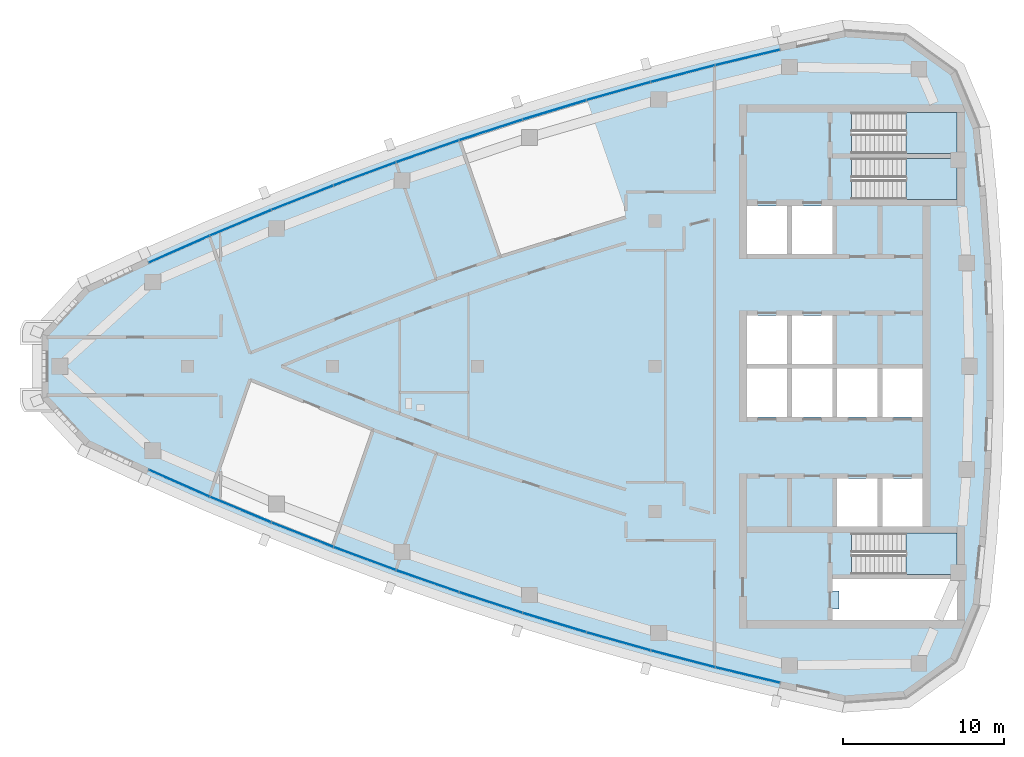
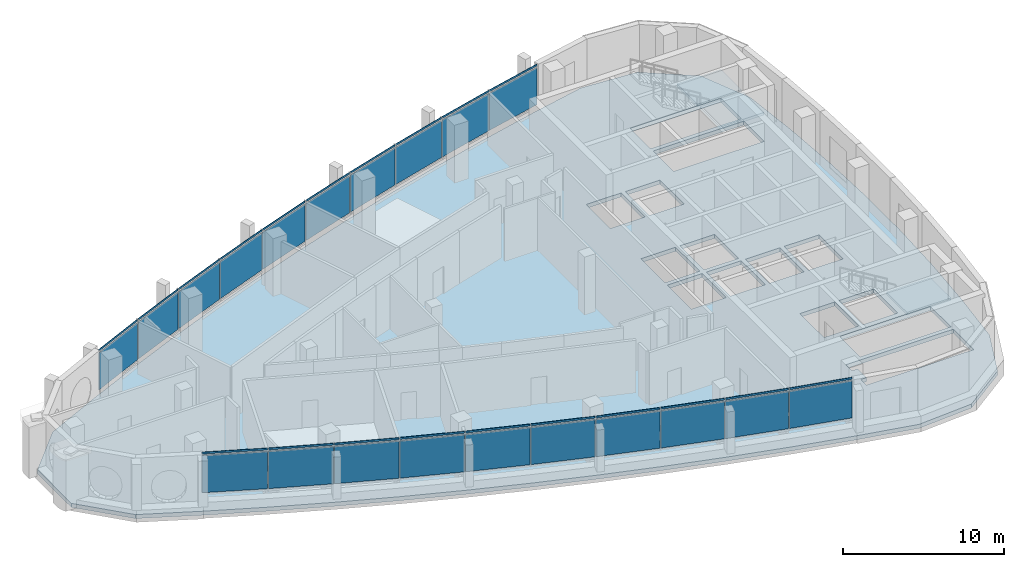
# One storey, part 6 of 15: 40 plates, 4 slabs, 1 opening, 13 elements without a shape of their own.
"""IFC4 building model written with IfcOpenShell, lengths in metres."""

from ifc_helpers import new_model, si_unit, direction, frame, origin, origin_2d, place, context, subcontext, project, spatial, polyline, rectangle, outline, extrude, material, layer, layer_set, type_object, element, aggregate, save


model = new_model("IFC4")

# Units and contexts
model_context = context("Model", 3, precision=1e-05, world=origin(), true_north=direction((0.0, 1.0)))
body_context = subcontext(model_context, "Body", "Model", "MODEL_VIEW")
ifc_project = project(units=[si_unit("LENGTHUNIT", "METRE"), si_unit("AREAUNIT", "SQUARE_METRE"), si_unit("VOLUMEUNIT", "CUBIC_METRE"), si_unit("PLANEANGLEUNIT", "RADIAN"), si_unit("MASSUNIT", "GRAM", prefix="KILO")], contexts=[model_context])

# Site, building, storey
site_placement = place(None, origin())
site = spatial("IfcSite", under=ifc_project, at=site_placement, CompositionType="ELEMENT")
building_placement = place(site_placement, origin())
building = spatial("IfcBuilding", under=site, at=building_placement, Name="Ostrand Prow Hotel Tower", CompositionType="ELEMENT")
storey_placement = place(building_placement, frame((0.0, 0.0, 318.60009765625)))
storey = spatial("IfcBuildingStorey", under=building, at=storey_placement, Name="C3", CompositionType="ELEMENT", Elevation=318.60009765625)

# Curtain wall, plates
ifc_material_1 = material(Name="Insulated glass in bronze anodised frame", Category="glass")
ifc_layer_1 = layer(ifc_material_1, 0.199951171875)
ifc_layer_set_1 = layer_set([ifc_layer_1], Name="Insulated glass in bronze anodised frame")
curtain_wall_type = type_object("IfcCurtainWallType", Name="Sky lobby full-height curtain wall", PredefinedType="NOTDEFINED", material=ifc_layer_set_1)
curtain_wall_1_placement = place(storey_placement, origin())
curtain_wall_1 = element("IfcCurtainWall", 1, at=curtain_wall_1_placement, inside=storey, type_object=curtain_wall_type, Name="CW3 run CWS1", PredefinedType="NOTDEFINED")
ifc_material_2 = material(Name="Low-iron clear glass", Category="glass")
ifc_layer_2 = layer(ifc_material_2, 0.031982421875)
ifc_layer_set_2 = layer_set([ifc_layer_2], Name="Low-iron clear glass")
plate_type_1 = type_object("IfcPlateType", Name="Clear glass unit 32 mm", PredefinedType="CURTAIN_PANEL", material=ifc_layer_set_2)
plate_1_placement = place(storey_placement, frame((15.493408203125, -7.259765625, 1.02001953125), z_axis=(0.0, 0.0, 1.0), x_axis=(0.914785615941, -0.403939694592, 0.0)))
plate_1 = element("IfcPlate", 2, at=plate_1_placement, type_object=plate_type_1, Name="CW3 PN-C panel 1.2", PredefinedType="CURTAIN_PANEL", context=body_context, shape_type="SweptSolid", body=[
    extrude(rectangle(XDim=4.079833984375, YDim=0.031982421875, at=origin_2d()), origin(), (0.0, 0.0, 1.0), 2.820068359375),
])
plate_2_placement = place(storey_placement, frame((19.297119140625, -8.893798828125, 1.02001953125), z_axis=(0.0, 0.0, 1.0), x_axis=(0.922719840955, -0.385471263659, 0.0)))
plate_2 = element("IfcPlate", 3, at=plate_2_placement, type_object=plate_type_1, Name="CW3 PN-C panel 2.2", PredefinedType="CURTAIN_PANEL", context=body_context, shape_type="SweptSolid", body=[
    extrude(rectangle(XDim=4.079833984375, YDim=0.031982421875, at=origin_2d()), origin(), (0.0, 0.0, 1.0), 2.820068359375),
])

curtain_wall_2_placement = place(storey_placement, origin())
curtain_wall_2 = element("IfcCurtainWall", 4, at=curtain_wall_2_placement, inside=storey, type_object=curtain_wall_type, Name="CW3 run CWS2", PredefinedType="NOTDEFINED")
plate_3_placement = place(storey_placement, frame((23.132568359375, -10.450927734375, 1.02001953125), z_axis=(0.0, 0.0, 1.0), x_axis=(0.930281895249, -0.366845465248, 0.0)))
plate_3 = element("IfcPlate", 5, at=plate_3_placement, type_object=plate_type_1, Name="CW3 PN-C panel 1.2", PredefinedType="CURTAIN_PANEL", context=body_context, shape_type="SweptSolid", body=[
    extrude(rectangle(XDim=4.079833984375, YDim=0.031982421875, at=origin_2d()), origin(), (0.0, 0.0, 1.0), 2.820068359375),
])
plate_4_placement = place(storey_placement, frame((26.99853515625, -11.930908203125, 1.02001953125), z_axis=(0.0, 0.0, 1.0), x_axis=(0.937468017947, -0.348071422738, 0.0)))
plate_4 = element("IfcPlate", 6, at=plate_4_placement, type_object=plate_type_1, Name="CW3 PN-C panel 2.2", PredefinedType="CURTAIN_PANEL", context=body_context, shape_type="SweptSolid", body=[
    extrude(rectangle(XDim=4.079833984375, YDim=0.031982421875, at=origin_2d()), origin(), (0.0, 0.0, 1.0), 2.820068359375),
])
plate_5_placement = place(storey_placement, frame((26.99853515625, -11.930908203125, 3.9599609375), z_axis=(0.0, 0.0, 1.0), x_axis=(0.937468017947, -0.348071422738, 0.0)))
plate_5 = element("IfcPlate", 7, at=plate_5_placement, type_object=plate_type_1, Name="CW3 PN-C panel 2.3", PredefinedType="CURTAIN_PANEL", context=body_context, shape_type="SweptSolid", body=[
    extrude(rectangle(XDim=4.079833984375, YDim=0.031982421875, at=origin_2d()), origin(), (0.0, 0.0, 1.0), 0.139892578125),
])

curtain_wall_3_placement = place(storey_placement, origin())
curtain_wall_3 = element("IfcCurtainWall", 8, at=curtain_wall_3_placement, inside=storey, type_object=curtain_wall_type, Name="CW3 run CWS3", PredefinedType="NOTDEFINED")
plate_6_placement = place(storey_placement, frame((30.8935546875, -13.33251953125, 1.02001953125), z_axis=(0.0, 0.0, 1.0), x_axis=(0.944274730614, -0.329158370885, 0.0)))
plate_6 = element("IfcPlate", 9, at=plate_6_placement, type_object=plate_type_1, Name="CW3 PN-C panel 1.2", PredefinedType="CURTAIN_PANEL", context=body_context, shape_type="SweptSolid", body=[
    extrude(rectangle(XDim=4.079833984375, YDim=0.031982421875, at=origin_2d()), origin(), (0.0, 0.0, 1.0), 2.820068359375),
])
plate_7_placement = place(storey_placement, frame((34.81591796875, -14.65576171875, 1.02001953125), z_axis=(0.0, 0.0, 1.0), x_axis=(0.950700464612, -0.310110668289, 0.0)))
plate_7 = element("IfcPlate", 10, at=plate_7_placement, type_object=plate_type_1, Name="CW3 PN-C panel 2.2", PredefinedType="CURTAIN_PANEL", context=body_context, shape_type="SweptSolid", body=[
    extrude(rectangle(XDim=4.079833984375, YDim=0.031982421875, at=origin_2d()), origin(), (0.0, 0.0, 1.0), 2.820068359375),
])

curtain_wall_4_placement = place(storey_placement, origin())
curtain_wall_4 = element("IfcCurtainWall", 11, at=curtain_wall_4_placement, inside=storey, type_object=curtain_wall_type, Name="CW3 run CWS4", PredefinedType="NOTDEFINED")
plate_8_placement = place(storey_placement, frame((38.76416015625, -15.89990234375, 1.02001953125), z_axis=(0.0, 0.0, 1.0), x_axis=(0.956742015769, -0.290937648411, 0.0)))
plate_8 = element("IfcPlate", 12, at=plate_8_placement, type_object=plate_type_1, Name="CW3 PN-C panel 1.2", PredefinedType="CURTAIN_PANEL", context=body_context, shape_type="SweptSolid", body=[
    extrude(rectangle(XDim=4.079833984375, YDim=0.031982421875, at=origin_2d()), origin(), (0.0, 0.0, 1.0), 2.820068359375),
])
plate_9_placement = place(storey_placement, frame((42.736572265625, -17.064453125, 1.02001953125), z_axis=(0.0, 0.0, 1.0), x_axis=(0.962396468548, -0.271648738865, 0.0)))
plate_9 = element("IfcPlate", 13, at=plate_9_placement, type_object=plate_type_1, Name="CW3 PN-C panel 2.2", PredefinedType="CURTAIN_PANEL", context=body_context, shape_type="SweptSolid", body=[
    extrude(rectangle(XDim=4.079833984375, YDim=0.031982421875, at=origin_2d()), origin(), (0.0, 0.0, 1.0), 2.820068359375),
])
plate_10_placement = place(storey_placement, frame((42.736572265625, -17.064453125, 3.9599609375), z_axis=(0.0, 0.0, 1.0), x_axis=(0.962396468548, -0.271648738865, 0.0)))
plate_10 = element("IfcPlate", 14, at=plate_10_placement, type_object=plate_type_1, Name="CW3 PN-C panel 2.3", PredefinedType="CURTAIN_PANEL", context=body_context, shape_type="SweptSolid", body=[
    extrude(rectangle(XDim=4.079833984375, YDim=0.031982421875, at=origin_2d()), origin(), (0.0, 0.0, 1.0), 0.139892578125),
])

curtain_wall_5_placement = place(storey_placement, origin())
curtain_wall_5 = element("IfcCurtainWall", 15, at=curtain_wall_5_placement, inside=storey, type_object=curtain_wall_type, Name="CW3 run CWS5", PredefinedType="NOTDEFINED")
plate_11_placement = place(storey_placement, frame((46.731689453125, -18.148681640625, 1.02001953125), z_axis=(0.0, 0.0, 1.0), x_axis=(0.967662519855, -0.252248384867, 0.0)))
plate_11 = element("IfcPlate", 16, at=plate_11_placement, type_object=plate_type_1, Name="CW3 PN-C panel 1.2", PredefinedType="CURTAIN_PANEL", context=body_context, shape_type="SweptSolid", body=[
    extrude(rectangle(XDim=4.079833984375, YDim=0.031982421875, at=origin_2d()), origin(), (0.0, 0.0, 1.0), 2.820068359375),
])
plate_12_placement = place(storey_placement, frame((50.74755859375, -19.152587890625, 1.02001953125), z_axis=(0.0, 0.0, 1.0), x_axis=(0.972537533869, -0.232746096028, 0.0)))
plate_12 = element("IfcPlate", 17, at=plate_12_placement, type_object=plate_type_1, Name="CW3 PN-C panel 2.2", PredefinedType="CURTAIN_PANEL", context=body_context, shape_type="SweptSolid", body=[
    extrude(rectangle(XDim=4.079833984375, YDim=0.031982421875, at=origin_2d()), origin(), (0.0, 0.0, 1.0), 2.820068359375),
])

curtain_wall_6_placement = place(storey_placement, origin())
curtain_wall_6 = element("IfcCurtainWall", 18, at=curtain_wall_6_placement, inside=storey, type_object=curtain_wall_type, Name="CW3 run CWN1", PredefinedType="NOTDEFINED")
plate_13_placement = place(storey_placement, frame((50.74755859375, 19.152587890625, 1.02001953125), z_axis=(0.0, 0.0, 1.0), x_axis=(-0.972537533869, -0.232746096028, 0.0)))
plate_13 = element("IfcPlate", 19, at=plate_13_placement, type_object=plate_type_1, Name="CW3 PN-C panel 1.2", PredefinedType="CURTAIN_PANEL", context=body_context, shape_type="SweptSolid", body=[
    extrude(rectangle(XDim=4.079833984375, YDim=0.031982421875, at=origin_2d()), origin(), (0.0, 0.0, 1.0), 2.820068359375),
])
plate_14_placement = place(storey_placement, frame((46.731689453125, 18.148681640625, 1.02001953125), z_axis=(0.0, 0.0, 1.0), x_axis=(-0.967662519855, -0.252248384867, 0.0)))
plate_14 = element("IfcPlate", 20, at=plate_14_placement, type_object=plate_type_1, Name="CW3 PN-C panel 2.2", PredefinedType="CURTAIN_PANEL", context=body_context, shape_type="SweptSolid", body=[
    extrude(rectangle(XDim=4.079833984375, YDim=0.031982421875, at=origin_2d()), origin(), (0.0, 0.0, 1.0), 2.820068359375),
])

curtain_wall_7_placement = place(storey_placement, origin())
curtain_wall_7 = element("IfcCurtainWall", 21, at=curtain_wall_7_placement, inside=storey, type_object=curtain_wall_type, Name="CW3 run CWN2", PredefinedType="NOTDEFINED")
plate_15_placement = place(storey_placement, frame((42.736572265625, 17.064453125, 1.02001953125), z_axis=(0.0, 0.0, 1.0), x_axis=(-0.962396468548, -0.271648738865, 0.0)))
plate_15 = element("IfcPlate", 22, at=plate_15_placement, type_object=plate_type_1, Name="CW3 PN-C panel 1.2", PredefinedType="CURTAIN_PANEL", context=body_context, shape_type="SweptSolid", body=[
    extrude(rectangle(XDim=4.079833984375, YDim=0.031982421875, at=origin_2d()), origin(), (0.0, 0.0, 1.0), 2.820068359375),
])
plate_16_placement = place(storey_placement, frame((38.76416015625, 15.89990234375, 1.02001953125), z_axis=(0.0, 0.0, 1.0), x_axis=(-0.956742015769, -0.290937648411, 0.0)))
plate_16 = element("IfcPlate", 23, at=plate_16_placement, type_object=plate_type_1, Name="CW3 PN-C panel 2.2", PredefinedType="CURTAIN_PANEL", context=body_context, shape_type="SweptSolid", body=[
    extrude(rectangle(XDim=4.079833984375, YDim=0.031982421875, at=origin_2d()), origin(), (0.0, 0.0, 1.0), 2.820068359375),
])
plate_17_placement = place(storey_placement, frame((38.76416015625, 15.89990234375, 3.9599609375), z_axis=(0.0, 0.0, 1.0), x_axis=(-0.956742015769, -0.290937648411, 0.0)))
plate_17 = element("IfcPlate", 24, at=plate_17_placement, type_object=plate_type_1, Name="CW3 PN-C panel 2.3", PredefinedType="CURTAIN_PANEL", context=body_context, shape_type="SweptSolid", body=[
    extrude(rectangle(XDim=4.079833984375, YDim=0.031982421875, at=origin_2d()), origin(), (0.0, 0.0, 1.0), 0.139892578125),
])

curtain_wall_8_placement = place(storey_placement, origin())
curtain_wall_8 = element("IfcCurtainWall", 25, at=curtain_wall_8_placement, inside=storey, type_object=curtain_wall_type, Name="CW3 run CWN3", PredefinedType="NOTDEFINED")
plate_18_placement = place(storey_placement, frame((34.81591796875, 14.65576171875, 1.02001953125), z_axis=(0.0, 0.0, 1.0), x_axis=(-0.950700464612, -0.310110668289, 0.0)))
plate_18 = element("IfcPlate", 26, at=plate_18_placement, type_object=plate_type_1, Name="CW3 PN-C panel 1.2", PredefinedType="CURTAIN_PANEL", context=body_context, shape_type="SweptSolid", body=[
    extrude(rectangle(XDim=4.079833984375, YDim=0.031982421875, at=origin_2d()), origin(), (0.0, 0.0, 1.0), 2.820068359375),
])
plate_19_placement = place(storey_placement, frame((30.8935546875, 13.33251953125, 1.02001953125), z_axis=(0.0, 0.0, 1.0), x_axis=(-0.944274730614, -0.329158370885, 0.0)))
plate_19 = element("IfcPlate", 27, at=plate_19_placement, type_object=plate_type_1, Name="CW3 PN-C panel 2.2", PredefinedType="CURTAIN_PANEL", context=body_context, shape_type="SweptSolid", body=[
    extrude(rectangle(XDim=4.079833984375, YDim=0.031982421875, at=origin_2d()), origin(), (0.0, 0.0, 1.0), 2.820068359375),
])

curtain_wall_9_placement = place(storey_placement, origin())
curtain_wall_9 = element("IfcCurtainWall", 28, at=curtain_wall_9_placement, inside=storey, type_object=curtain_wall_type, Name="CW3 run CWN4", PredefinedType="NOTDEFINED")
plate_20_placement = place(storey_placement, frame((26.99853515625, 11.930908203125, 1.02001953125), z_axis=(0.0, 0.0, 1.0), x_axis=(-0.937468017947, -0.348071422738, 0.0)))
plate_20 = element("IfcPlate", 29, at=plate_20_placement, type_object=plate_type_1, Name="CW3 PN-C panel 1.2", PredefinedType="CURTAIN_PANEL", context=body_context, shape_type="SweptSolid", body=[
    extrude(rectangle(XDim=4.079833984375, YDim=0.031982421875, at=origin_2d()), origin(), (0.0, 0.0, 1.0), 2.820068359375),
])
plate_21_placement = place(storey_placement, frame((23.132568359375, 10.450927734375, 1.02001953125), z_axis=(0.0, 0.0, 1.0), x_axis=(-0.930281895249, -0.366845465248, 0.0)))
plate_21 = element("IfcPlate", 30, at=plate_21_placement, type_object=plate_type_1, Name="CW3 PN-C panel 2.2", PredefinedType="CURTAIN_PANEL", context=body_context, shape_type="SweptSolid", body=[
    extrude(rectangle(XDim=4.079833984375, YDim=0.031982421875, at=origin_2d()), origin(), (0.0, 0.0, 1.0), 2.820068359375),
])
plate_22_placement = place(storey_placement, frame((23.132568359375, 10.450927734375, 3.9599609375), z_axis=(0.0, 0.0, 1.0), x_axis=(-0.930281895249, -0.366845465248, 0.0)))
plate_22 = element("IfcPlate", 31, at=plate_22_placement, type_object=plate_type_1, Name="CW3 PN-C panel 2.3", PredefinedType="CURTAIN_PANEL", context=body_context, shape_type="SweptSolid", body=[
    extrude(rectangle(XDim=4.079833984375, YDim=0.031982421875, at=origin_2d()), origin(), (0.0, 0.0, 1.0), 0.139892578125),
])

curtain_wall_10_placement = place(storey_placement, origin())
curtain_wall_10 = element("IfcCurtainWall", 32, at=curtain_wall_10_placement, inside=storey, type_object=curtain_wall_type, Name="CW3 run CWN5", PredefinedType="NOTDEFINED")
plate_23_placement = place(storey_placement, frame((19.297119140625, 8.893798828125, 1.02001953125), z_axis=(0.0, 0.0, 1.0), x_axis=(-0.922719840955, -0.385471263659, 0.0)))
plate_23 = element("IfcPlate", 33, at=plate_23_placement, type_object=plate_type_1, Name="CW3 PN-C panel 1.2", PredefinedType="CURTAIN_PANEL", context=body_context, shape_type="SweptSolid", body=[
    extrude(rectangle(XDim=4.079833984375, YDim=0.031982421875, at=origin_2d()), origin(), (0.0, 0.0, 1.0), 2.820068359375),
])
plate_24_placement = place(storey_placement, frame((15.493408203125, 7.259765625, 1.02001953125), z_axis=(0.0, 0.0, 1.0), x_axis=(-0.914785615941, -0.403939694592, 0.0)))
plate_24 = element("IfcPlate", 34, at=plate_24_placement, type_object=plate_type_1, Name="CW3 PN-C panel 2.2", PredefinedType="CURTAIN_PANEL", context=body_context, shape_type="SweptSolid", body=[
    extrude(rectangle(XDim=4.079833984375, YDim=0.031982421875, at=origin_2d()), origin(), (0.0, 0.0, 1.0), 2.820068359375),
])

# Plate
ifc_material_3 = material(Name="Ceramic-fritted glass", Category="glass")
ifc_layer_3 = layer(ifc_material_3, 0.031982421875)
ifc_layer_set_3 = layer_set([ifc_layer_3], Name="Ceramic-fritted glass")
plate_type_2 = type_object("IfcPlateType", Name="Dot-fritted ceramic glass unit 32 mm", PredefinedType="CURTAIN_PANEL", material=ifc_layer_set_3)
plate_25_placement = place(storey_placement, frame((15.493408203125, -7.259765625, 3.9599609375), z_axis=(0.0, 0.0, 1.0), x_axis=(0.914785615941, -0.403939694592, 0.0)))
plate_25 = element("IfcPlate", 35, at=plate_25_placement, type_object=plate_type_2, Name="CW3 PN-D panel 1.3", PredefinedType="CURTAIN_PANEL", context=body_context, shape_type="SweptSolid", body=[
    extrude(rectangle(XDim=4.079833984375, YDim=0.031982421875, at=origin_2d()), origin(), (0.0, 0.0, 1.0), 0.139892578125),
])

plate_26_placement = place(storey_placement, frame((23.132568359375, -10.450927734375, 3.9599609375), z_axis=(0.0, 0.0, 1.0), x_axis=(0.930281895249, -0.366845465248, 0.0)))
plate_26 = element("IfcPlate", 36, at=plate_26_placement, type_object=plate_type_2, Name="CW3 PN-D panel 1.3", PredefinedType="CURTAIN_PANEL", context=body_context, shape_type="SweptSolid", body=[
    extrude(rectangle(XDim=4.079833984375, YDim=0.031982421875, at=origin_2d()), origin(), (0.0, 0.0, 1.0), 0.139892578125),
])

aggregate(curtain_wall_2, [plate_3, plate_26, plate_4, plate_5])

plate_27_placement = place(storey_placement, frame((30.8935546875, -13.33251953125, 3.9599609375), z_axis=(0.0, 0.0, 1.0), x_axis=(0.944274730614, -0.329158370885, 0.0)))
plate_27 = element("IfcPlate", 37, at=plate_27_placement, type_object=plate_type_2, Name="CW3 PN-D panel 1.3", PredefinedType="CURTAIN_PANEL", context=body_context, shape_type="SweptSolid", body=[
    extrude(rectangle(XDim=4.079833984375, YDim=0.031982421875, at=origin_2d()), origin(), (0.0, 0.0, 1.0), 0.139892578125),
])

plate_28_placement = place(storey_placement, frame((38.76416015625, -15.89990234375, 3.9599609375), z_axis=(0.0, 0.0, 1.0), x_axis=(0.956742015769, -0.290937648411, 0.0)))
plate_28 = element("IfcPlate", 38, at=plate_28_placement, type_object=plate_type_2, Name="CW3 PN-D panel 1.3", PredefinedType="CURTAIN_PANEL", context=body_context, shape_type="SweptSolid", body=[
    extrude(rectangle(XDim=4.079833984375, YDim=0.031982421875, at=origin_2d()), origin(), (0.0, 0.0, 1.0), 0.139892578125),
])

aggregate(curtain_wall_4, [plate_8, plate_28, plate_9, plate_10])

plate_29_placement = place(storey_placement, frame((46.731689453125, -18.148681640625, 3.9599609375), z_axis=(0.0, 0.0, 1.0), x_axis=(0.967662519855, -0.252248384867, 0.0)))
plate_29 = element("IfcPlate", 39, at=plate_29_placement, type_object=plate_type_2, Name="CW3 PN-D panel 1.3", PredefinedType="CURTAIN_PANEL", context=body_context, shape_type="SweptSolid", body=[
    extrude(rectangle(XDim=4.079833984375, YDim=0.031982421875, at=origin_2d()), origin(), (0.0, 0.0, 1.0), 0.139892578125),
])

plate_30_placement = place(storey_placement, frame((50.74755859375, 19.152587890625, 3.9599609375), z_axis=(0.0, 0.0, 1.0), x_axis=(-0.972537533869, -0.232746096028, 0.0)))
plate_30 = element("IfcPlate", 40, at=plate_30_placement, type_object=plate_type_2, Name="CW3 PN-D panel 1.3", PredefinedType="CURTAIN_PANEL", context=body_context, shape_type="SweptSolid", body=[
    extrude(rectangle(XDim=4.079833984375, YDim=0.031982421875, at=origin_2d()), origin(), (0.0, 0.0, 1.0), 0.139892578125),
])

plate_31_placement = place(storey_placement, frame((42.736572265625, 17.064453125, 3.9599609375), z_axis=(0.0, 0.0, 1.0), x_axis=(-0.962396468548, -0.271648738865, 0.0)))
plate_31 = element("IfcPlate", 41, at=plate_31_placement, type_object=plate_type_2, Name="CW3 PN-D panel 1.3", PredefinedType="CURTAIN_PANEL", context=body_context, shape_type="SweptSolid", body=[
    extrude(rectangle(XDim=4.079833984375, YDim=0.031982421875, at=origin_2d()), origin(), (0.0, 0.0, 1.0), 0.139892578125),
])

aggregate(curtain_wall_7, [plate_15, plate_31, plate_16, plate_17])

plate_32_placement = place(storey_placement, frame((34.81591796875, 14.65576171875, 3.9599609375), z_axis=(0.0, 0.0, 1.0), x_axis=(-0.950700464612, -0.310110668289, 0.0)))
plate_32 = element("IfcPlate", 42, at=plate_32_placement, type_object=plate_type_2, Name="CW3 PN-D panel 1.3", PredefinedType="CURTAIN_PANEL", context=body_context, shape_type="SweptSolid", body=[
    extrude(rectangle(XDim=4.079833984375, YDim=0.031982421875, at=origin_2d()), origin(), (0.0, 0.0, 1.0), 0.139892578125),
])

plate_33_placement = place(storey_placement, frame((26.99853515625, 11.930908203125, 3.9599609375), z_axis=(0.0, 0.0, 1.0), x_axis=(-0.937468017947, -0.348071422738, 0.0)))
plate_33 = element("IfcPlate", 43, at=plate_33_placement, type_object=plate_type_2, Name="CW3 PN-D panel 1.3", PredefinedType="CURTAIN_PANEL", context=body_context, shape_type="SweptSolid", body=[
    extrude(rectangle(XDim=4.079833984375, YDim=0.031982421875, at=origin_2d()), origin(), (0.0, 0.0, 1.0), 0.139892578125),
])

aggregate(curtain_wall_9, [plate_20, plate_33, plate_21, plate_22])

plate_34_placement = place(storey_placement, frame((19.297119140625, 8.893798828125, 3.9599609375), z_axis=(0.0, 0.0, 1.0), x_axis=(-0.922719840955, -0.385471263659, 0.0)))
plate_34 = element("IfcPlate", 44, at=plate_34_placement, type_object=plate_type_2, Name="CW3 PN-D panel 1.3", PredefinedType="CURTAIN_PANEL", context=body_context, shape_type="SweptSolid", body=[
    extrude(rectangle(XDim=4.079833984375, YDim=0.031982421875, at=origin_2d()), origin(), (0.0, 0.0, 1.0), 0.139892578125),
])

ifc_material_4 = material(Name="Ceramic-fritted glass", Category="glass")
ifc_layer_4 = layer(ifc_material_4, 0.031982421875)
ifc_layer_set_4 = layer_set([ifc_layer_4], Name="Ceramic-fritted glass")
plate_type_3 = type_object("IfcPlateType", Name="Line-fritted ceramic glass unit 32 mm", PredefinedType="CURTAIN_PANEL", material=ifc_layer_set_4)
plate_35_placement = place(storey_placement, frame((19.297119140625, -8.893798828125, 3.9599609375), z_axis=(0.0, 0.0, 1.0), x_axis=(0.922719840955, -0.385471263659, 0.0)))
plate_35 = element("IfcPlate", 45, at=plate_35_placement, type_object=plate_type_3, Name="CW3 PN-L panel 2.3", PredefinedType="CURTAIN_PANEL", context=body_context, shape_type="SweptSolid", body=[
    extrude(rectangle(XDim=4.079833984375, YDim=0.031982421875, at=origin_2d()), origin(), (0.0, 0.0, 1.0), 0.139892578125),
])

aggregate(curtain_wall_1, [plate_1, plate_25, plate_2, plate_35])

plate_36_placement = place(storey_placement, frame((34.81591796875, -14.65576171875, 3.9599609375), z_axis=(0.0, 0.0, 1.0), x_axis=(0.950700464612, -0.310110668289, 0.0)))
plate_36 = element("IfcPlate", 46, at=plate_36_placement, type_object=plate_type_3, Name="CW3 PN-L panel 2.3", PredefinedType="CURTAIN_PANEL", context=body_context, shape_type="SweptSolid", body=[
    extrude(rectangle(XDim=4.079833984375, YDim=0.031982421875, at=origin_2d()), origin(), (0.0, 0.0, 1.0), 0.139892578125),
])

aggregate(curtain_wall_3, [plate_6, plate_27, plate_7, plate_36])

plate_37_placement = place(storey_placement, frame((50.74755859375, -19.152587890625, 3.9599609375), z_axis=(0.0, 0.0, 1.0), x_axis=(0.972537533869, -0.232746096028, 0.0)))
plate_37 = element("IfcPlate", 47, at=plate_37_placement, type_object=plate_type_3, Name="CW3 PN-L panel 2.3", PredefinedType="CURTAIN_PANEL", context=body_context, shape_type="SweptSolid", body=[
    extrude(rectangle(XDim=4.079833984375, YDim=0.031982421875, at=origin_2d()), origin(), (0.0, 0.0, 1.0), 0.139892578125),
])

aggregate(curtain_wall_5, [plate_11, plate_29, plate_12, plate_37])

plate_38_placement = place(storey_placement, frame((46.731689453125, 18.148681640625, 3.9599609375), z_axis=(0.0, 0.0, 1.0), x_axis=(-0.967662519855, -0.252248384867, 0.0)))
plate_38 = element("IfcPlate", 48, at=plate_38_placement, type_object=plate_type_3, Name="CW3 PN-L panel 2.3", PredefinedType="CURTAIN_PANEL", context=body_context, shape_type="SweptSolid", body=[
    extrude(rectangle(XDim=4.079833984375, YDim=0.031982421875, at=origin_2d()), origin(), (0.0, 0.0, 1.0), 0.139892578125),
])

aggregate(curtain_wall_6, [plate_13, plate_30, plate_14, plate_38])

plate_39_placement = place(storey_placement, frame((30.8935546875, 13.33251953125, 3.9599609375), z_axis=(0.0, 0.0, 1.0), x_axis=(-0.944274730614, -0.329158370885, 0.0)))
plate_39 = element("IfcPlate", 49, at=plate_39_placement, type_object=plate_type_3, Name="CW3 PN-L panel 2.3", PredefinedType="CURTAIN_PANEL", context=body_context, shape_type="SweptSolid", body=[
    extrude(rectangle(XDim=4.079833984375, YDim=0.031982421875, at=origin_2d()), origin(), (0.0, 0.0, 1.0), 0.139892578125),
])

aggregate(curtain_wall_8, [plate_18, plate_32, plate_19, plate_39])

plate_40_placement = place(storey_placement, frame((15.493408203125, 7.259765625, 3.9599609375), z_axis=(0.0, 0.0, 1.0), x_axis=(-0.914785615941, -0.403939694592, 0.0)))
plate_40 = element("IfcPlate", 50, at=plate_40_placement, type_object=plate_type_3, Name="CW3 PN-L panel 2.3", PredefinedType="CURTAIN_PANEL", context=body_context, shape_type="SweptSolid", body=[
    extrude(rectangle(XDim=4.079833984375, YDim=0.031982421875, at=origin_2d()), origin(), (0.0, 0.0, 1.0), 0.139892578125),
])

aggregate(curtain_wall_10, [plate_23, plate_34, plate_24, plate_40])

# Slab, opening
ifc_material_5 = material(Name="Concrete C40/50", Category="concrete")
ifc_layer_5 = layer(ifc_material_5, 0.300048828125)
ifc_layer_set_5 = layer_set([ifc_layer_5], Name="Concrete C40/50")
slab_type_1 = type_object("IfcSlabType", Name="PT flat plate 300 C40/50", PredefinedType="FLOOR", material=ifc_layer_set_5)
slab_1_placement = place(storey_placement, frame((0.0, 0.0, -0.300048828125)))
slab_1 = element("IfcSlab", 51, at=slab_1_placement, inside=storey, type_object=slab_type_1, Name="Floor slab C3-1", PredefinedType="FLOOR", context=body_context, shape_type="SweptSolid", body=[
    extrude(outline(polyline([(9.560791015625, 5.168212890625), (13.365478515625, 6.9404296875), (17.1630859375, 8.6171875), (20.993408203125, 10.21728515625), (24.855224609375, 11.740234375), (28.746826171875, 13.185302734375), (32.666748046875, 14.551513671875), (36.61328125, 15.8388671875), (40.5849609375, 17.046630859375), (44.580078125, 18.17431640625), (48.596923828125, 19.221435546875), (52.634033203125, 20.187744140625), (56.72265625, 21.07958984375), (60.634765625, 20.80029296875), (63.84765625, 18.49072265625), (65.35888671875, 14.87060546875), (65.796875, 10.611083984375), (66.0869140625, 6.37158203125), (66.23193359375, 2.124755859375), (66.23193359375, -2.124755859375), (66.0869140625, -6.37158203125), (65.796875, -10.611083984375), (65.35888671875, -14.87060546875), (63.84765625, -18.49072265625), (60.634765625, -20.80029296875), (56.72265625, -21.07958984375), (52.634033203125, -20.187744140625), (48.596923828125, -19.221435546875), (44.580078125, -18.17431640625), (40.5849609375, -17.046630859375), (36.61328125, -15.8388671875), (32.666748046875, -14.551513671875), (28.746826171875, -13.185302734375), (24.855224609375, -11.740234375), (20.993408203125, -10.21728515625), (17.1630859375, -8.6171875), (13.365478515625, -6.9404296875), (9.560791015625, -5.168212890625), (6.71484375, -2.112548828125), (6.71484375, 2.112548828125), (9.560791015625, 5.168212890625)]), holes=[polyline([(50.699951171875, 6.949951171875), (53.199951171875, 6.949951171875), (53.199951171875, 9.949951171875), (50.699951171875, 9.949951171875), (50.699951171875, 6.949951171875)]), polyline([(53.5, 6.949951171875), (56.0, 6.949951171875), (56.0, 9.949951171875), (53.5, 9.949951171875), (53.5, 6.949951171875)]), polyline([(50.699951171875, 0.14990234375), (53.199951171875, 0.14990234375), (53.199951171875, 3.14990234375), (50.699951171875, 3.14990234375), (50.699951171875, 0.14990234375)]), polyline([(53.5, 0.14990234375), (56.0, 0.14990234375), (56.0, 3.14990234375), (53.5, 3.14990234375), (53.5, 0.14990234375)]), polyline([(50.699951171875, -3.14990234375), (53.199951171875, -3.14990234375), (53.199951171875, -0.14990234375), (50.699951171875, -0.14990234375), (50.699951171875, -3.14990234375)]), polyline([(53.5, -3.14990234375), (56.0, -3.14990234375), (56.0, -0.14990234375), (53.5, -0.14990234375), (53.5, -3.14990234375)]), polyline([(56.300048828125, -3.14990234375), (58.800048828125, -3.14990234375), (58.800048828125, -0.14990234375), (56.300048828125, -0.14990234375), (56.300048828125, -3.14990234375)]), polyline([(59.10009765625, -3.14990234375), (61.60009765625, -3.14990234375), (61.60009765625, -0.14990234375), (59.10009765625, -0.14990234375), (59.10009765625, -3.14990234375)]), polyline([(56.300048828125, -9.949951171875), (58.800048828125, -9.949951171875), (58.800048828125, -6.949951171875), (56.300048828125, -6.949951171875), (56.300048828125, -9.949951171875)]), polyline([(59.10009765625, -9.949951171875), (61.60009765625, -9.949951171875), (61.60009765625, -6.949951171875), (59.10009765625, -6.949951171875), (59.10009765625, -9.949951171875)]), polyline([(57.200927734375, 10.35107421875), (57.200927734375, 12.89892578125), (63.718994140625, 12.89892578125), (63.718994140625, 10.35107421875), (57.200927734375, 10.35107421875)]), polyline([(57.200927734375, 13.200927734375), (57.200927734375, 15.7490234375), (63.718994140625, 15.7490234375), (63.718994140625, 13.200927734375), (57.200927734375, 13.200927734375)]), polyline([(57.200927734375, -12.89892578125), (57.200927734375, -10.35107421875), (63.718994140625, -10.35107421875), (63.718994140625, -12.89892578125), (57.200927734375, -12.89892578125)]), polyline([(56.0, -13.949951171875), (56.0, -13.199951171875), (63.719970703125, -13.199951171875), (63.719970703125, -15.75), (56.0, -15.75), (56.0, -15.050048828125), (56.39990234375, -15.050048828125), (56.39990234375, -13.949951171875), (56.0, -13.949951171875)])]), origin(), (0.0, 0.0, 1.0), 0.300048828125),
])
opening_placement = place(slab_1_placement, origin())
element("IfcOpeningElement", 52, at=opening_placement, cuts=slab_1, Name="Shaft opening 1", PredefinedType="OPENING", context=body_context, shape_type="SweptSolid", body=[
    extrude(outline(polyline([(56.0, -13.949951171875), (56.0, -13.199951171875), (63.719970703125, -13.199951171875), (63.719970703125, -15.75), (56.0, -15.75), (56.0, -15.050048828125), (56.39990234375, -15.050048828125), (56.39990234375, -13.949951171875), (56.0, -13.949951171875)])), origin(), (0.0, 0.0, 1.0), 0.300048828125),
])

# Stair, slab
ifc_material_6 = material(Name="Concrete C40/50", Category="concrete")
stair_type = type_object("IfcStairType", Name="Exit stair 1200 upper zone", PredefinedType="HALF_TURN_STAIR", material=ifc_material_6)
stair_1_placement = place(storey_placement, origin())
stair_1 = element("IfcStair", 53, at=stair_1_placement, inside=storey, type_object=stair_type, Name="C3 ST1C", PredefinedType="HALF_TURN_STAIR")
ifc_material_7 = material(Name="Concrete C40/50", Category="concrete")
ifc_layer_6 = layer(ifc_material_7, 0.199951171875)
ifc_layer_set_6 = layer_set([ifc_layer_6], Name="Concrete C40/50")
slab_type_2 = type_object("IfcSlabType", Name="Stair landing 200 concrete", PredefinedType="LANDING", material=ifc_layer_set_6)
slab_2_placement = place(storey_placement, frame((0.0, 0.0, 2.0)))
slab_2 = element("IfcSlab", 54, at=slab_2_placement, type_object=slab_type_2, Name="ST1C landing 1", PredefinedType="LANDING", context=body_context, shape_type="SweptSolid", body=[
    extrude(outline(polyline([(60.56005859375, 10.35009765625), (63.719970703125, 10.35009765625), (63.719970703125, 12.89990234375), (60.56005859375, 12.89990234375), (60.56005859375, 10.35009765625)])), origin(), (0.0, 0.0, 1.0), 0.199951171875),
])
aggregate(stair_1, [slab_2])

stair_2_placement = place(storey_placement, origin())
stair_2 = element("IfcStair", 55, at=stair_2_placement, inside=storey, type_object=stair_type, Name="C3 ST3C", PredefinedType="HALF_TURN_STAIR")
slab_3_placement = place(storey_placement, frame((0.0, 0.0, 2.0)))
slab_3 = element("IfcSlab", 56, at=slab_3_placement, type_object=slab_type_2, Name="ST3C landing 1", PredefinedType="LANDING", context=body_context, shape_type="SweptSolid", body=[
    extrude(outline(polyline([(60.56005859375, 13.199951171875), (63.719970703125, 13.199951171875), (63.719970703125, 15.75), (60.56005859375, 15.75), (60.56005859375, 13.199951171875)])), origin(), (0.0, 0.0, 1.0), 0.199951171875),
])
aggregate(stair_2, [slab_3])

stair_3_placement = place(storey_placement, origin())
stair_3 = element("IfcStair", 57, at=stair_3_placement, inside=storey, type_object=stair_type, Name="C3 ST2C", PredefinedType="HALF_TURN_STAIR")
slab_4_placement = place(storey_placement, frame((0.0, 0.0, 2.0)))
slab_4 = element("IfcSlab", 58, at=slab_4_placement, type_object=slab_type_2, Name="ST2C landing 1", PredefinedType="LANDING", context=body_context, shape_type="SweptSolid", body=[
    extrude(outline(polyline([(60.56005859375, -12.89990234375), (63.719970703125, -12.89990234375), (63.719970703125, -10.35009765625), (60.56005859375, -10.35009765625), (60.56005859375, -12.89990234375)])), origin(), (0.0, 0.0, 1.0), 0.199951171875),
])
aggregate(stair_3, [slab_4])

save(model, "model.ifc")
